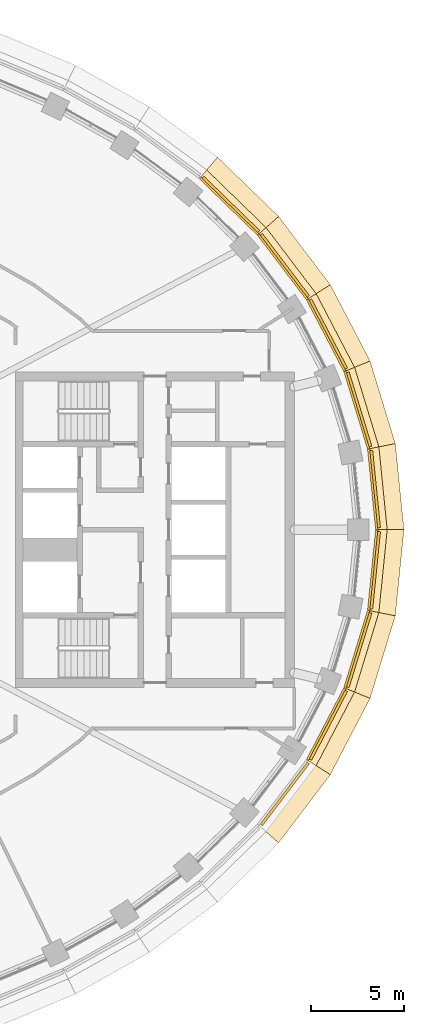
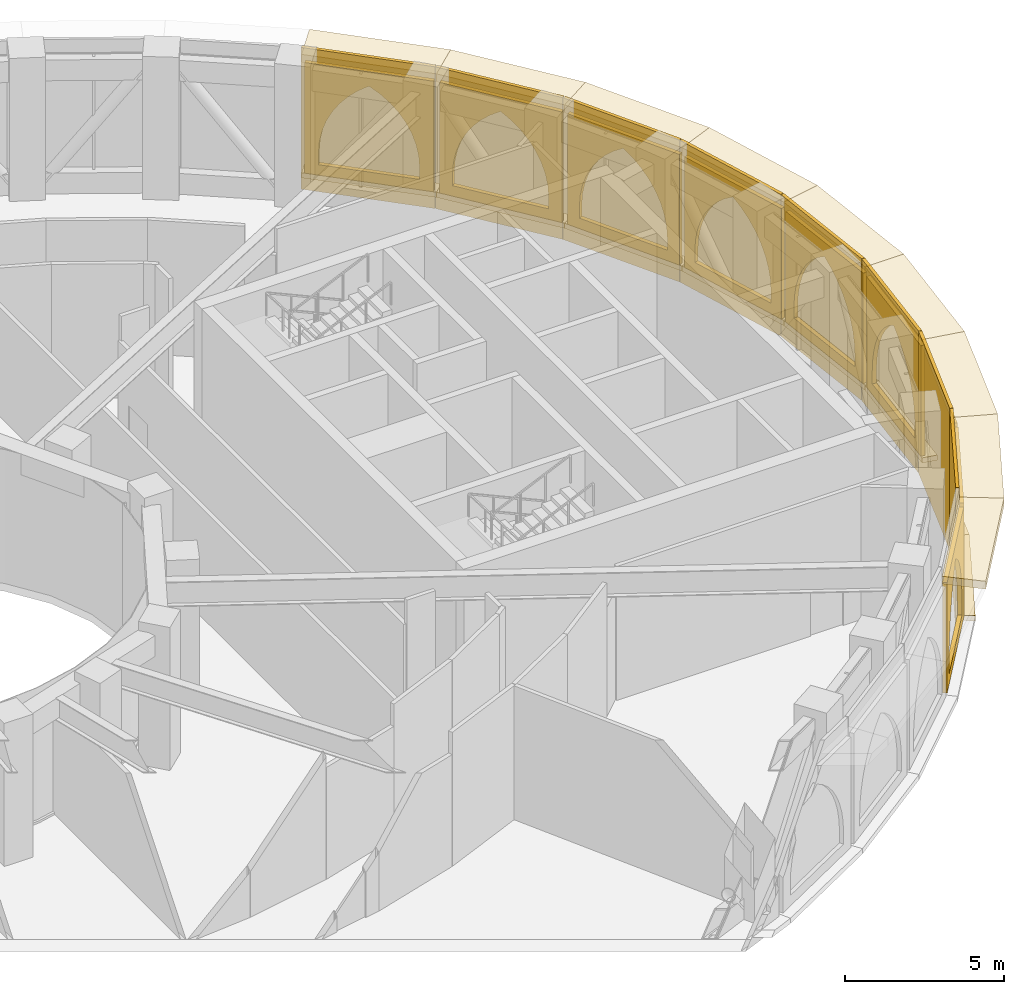
# One storey, part 25 of 25: 34 coverings.
"""IFC4 building model written with IfcOpenShell, lengths in metres."""

import ifcopenshell
import ifcopenshell.guid

model = None  # the IFC model being written
_history = None  # IfcOwnerHistory: only IFC2X3 demands one
_inside = {}  # id of a spatial element -> (the spatial element, [elements in it])
_under = {}  # id of a project, library or spatial element -> (it, [spatial elements below it])
_declared = {}  # id of a project -> (the project, [libraries it declares])
_typed = {}  # id of a type object -> (the type object, [elements of that type])
_made_of = {}  # id of a material, layer set ... -> (it, [elements and type objects made of it])


def new_model(schema):
    """Start an empty IFC model of exactly this schema.

    Asked for "IFC4X3", IfcOpenShell would pick the latest addendum, in which some entities
    have other attributes; the version numbers below select the first issue.
    IFC2X3 requires an IfcOwnerHistory on every rooted entity: one is made here for all.
    """
    global model, _history
    if schema == "IFC4X3":
        model = ifcopenshell.file(schema_version=(4, 3, 0, 0))
    else:
        model = ifcopenshell.file(schema=schema)
    _inside.clear()
    _under.clear()
    _declared.clear()
    _typed.clear()
    _made_of.clear()
    _history = None
    if model.schema == "IFC2X3":
        org = make("IfcOrganization", Name="unknown")
        user = make(
            "IfcPersonAndOrganization",
            ThePerson=make("IfcPerson", FamilyName="unknown"),
            TheOrganization=org,
        )
        app = make(
            "IfcApplication",
            ApplicationDeveloper=org,
            Version="unknown",
            ApplicationFullName="unknown",
            ApplicationIdentifier="unknown",
        )
        _history = make(
            "IfcOwnerHistory",
            OwningUser=user,
            OwningApplication=app,
            ChangeAction="ADDED",
            CreationDate=0,
        )
    return model


def make(cls, **values):
    """One entity of the class cls with the attributes given. An attribute that is None is left unset."""
    return model.create_entity(
        cls, **{name: value for name, value in values.items() if value is not None}
    )


def rooted(cls, **values):
    """An entity with a GlobalId (a new one), such as an element, a storey or a relation."""
    return make(cls, GlobalId=ifcopenshell.guid.new(), OwnerHistory=_history, **values)


def si_unit(unit_type, name, prefix=None):
    """IfcSIUnit, for example si_unit("LENGTHUNIT", "METRE", prefix="MILLI")."""
    return make("IfcSIUnit", UnitType=unit_type, Prefix=prefix, Name=name)


def assignment(units):
    """IfcUnitAssignment: the units of a project."""
    return None if units is None else make("IfcUnitAssignment", Units=units)


def point(xyz):
    """IfcCartesianPoint."""
    return None if xyz is None else make("IfcCartesianPoint", Coordinates=xyz)


def direction(xyz):
    """IfcDirection."""
    return None if xyz is None else make("IfcDirection", DirectionRatios=xyz)


def frame(location, z_axis=None, x_axis=None):
    """IfcAxis2Placement3D, a coordinate frame: its origin and axes. An axis left out is left unset."""
    return make(
        "IfcAxis2Placement3D",
        Location=point(location),
        Axis=direction(z_axis),
        RefDirection=direction(x_axis),
    )


def frame_2d(location, x_axis=None):
    """IfcAxis2Placement2D, a coordinate frame in the plane: its origin and x axis."""
    return make(
        "IfcAxis2Placement2D", Location=point(location), RefDirection=direction(x_axis)
    )


def origin():
    """The frame at (0, 0, 0) with its axes left unset."""
    return frame((0.0, 0.0, 0.0))


def origin_2d():
    """The frame at (0, 0) in the plane with its x axis left unset."""
    return frame_2d((0.0, 0.0))


def place(relative_to, where):
    """IfcLocalPlacement: puts the frame where relative to a parent placement (None: the world)."""
    return make(
        "IfcLocalPlacement", PlacementRelTo=relative_to, RelativePlacement=where
    )


def context(
    kind, dimensions, precision=None, world=None, true_north=None, identifier=None
):
    """IfcGeometricRepresentationContext, for example the 3D "Model" context."""
    return make(
        "IfcGeometricRepresentationContext",
        ContextIdentifier=identifier,
        ContextType=kind,
        CoordinateSpaceDimension=dimensions,
        Precision=precision,
        WorldCoordinateSystem=world,
        TrueNorth=true_north,
    )


def subcontext(parent, identifier, kind, view, scale=None):
    """IfcGeometricRepresentationSubContext, for example "Body" below "Model"."""
    return make(
        "IfcGeometricRepresentationSubContext",
        ContextIdentifier=identifier,
        ContextType=kind,
        ParentContext=parent,
        TargetScale=scale,
        TargetView=view,
    )


def project(units=None, contexts=None):
    """IfcProject with its units and contexts."""
    return rooted(
        "IfcProject",
        Name="project",
        RepresentationContexts=contexts,
        UnitsInContext=assignment(units),
    )


def spatial(cls, under=None, at=None, **own):
    """A site, building, storey or space (cls), placed at a placement, below another one or the project."""
    s = rooted(cls, ObjectPlacement=at, **own)
    if under is not None:
        _under.setdefault(under.id(), (under, []))[1].append(s)
    return s


def polyline(points):
    """IfcPolyline through the points."""
    return make("IfcPolyline", Points=[point(p) for p in points])


def profile(cls, at=None, kind="AREA", **sizes):
    """A parametric profile (cls). Its sizes go by their IFC names, for example OverallWidth=200.0."""
    return make(cls, ProfileType=kind, Position=at, **sizes)


def rectangle(**sizes):
    """IfcRectangleProfileDef."""
    return profile("IfcRectangleProfileDef", **sizes)


def outline(outer, holes=None, kind="AREA"):
    """IfcArbitraryClosedProfileDef: a profile drawn as a closed curve; with holes, ...WithVoids."""
    if holes is None:
        return make("IfcArbitraryClosedProfileDef", ProfileType=kind, OuterCurve=outer)
    return make(
        "IfcArbitraryProfileDefWithVoids",
        ProfileType=kind,
        OuterCurve=outer,
        InnerCurves=holes,
    )


def extrude(swept, where, along, depth):
    """IfcExtrudedAreaSolid: the profile swept, set in the frame where, extruded along a direction by depth."""
    return make(
        "IfcExtrudedAreaSolid",
        SweptArea=swept,
        Position=where,
        ExtrudedDirection=direction(along),
        Depth=depth,
    )


def shape(context_of_items, identifier, shape_type, items):
    """IfcShapeRepresentation: the items that make up one representation, for example the "Body"."""
    return make(
        "IfcShapeRepresentation",
        ContextOfItems=context_of_items,
        RepresentationIdentifier=identifier,
        RepresentationType=shape_type,
        Items=items,
    )


def material(Name=None, Category=None):
    """IfcMaterial."""
    return make("IfcMaterial", Name=Name, Category=Category)


def layer(
    of_material, thickness, ventilated=None, Name=None, Category=None, Priority=None
):
    """IfcMaterialLayer: one layer of a wall or slab, of a material (None: an air gap)."""
    return make(
        "IfcMaterialLayer",
        Material=of_material,
        LayerThickness=thickness,
        IsVentilated=ventilated,
        Name=Name,
        Category=Category,
        Priority=Priority,
    )


def layer_set(layers, Name=None):
    """IfcMaterialLayerSet."""
    return make("IfcMaterialLayerSet", MaterialLayers=layers, LayerSetName=Name)


def made_of(thing, what):
    """Note that an element or type object is made of a material, layer set ...; save() writes the relation."""
    if what is not None:
        _made_of.setdefault(what.id(), (what, []))[1].append(thing)
    return thing


def type_object(cls, material=None, **own):
    """A type object (cls), such as IfcWallType, which elements share."""
    return made_of(rooted(cls, **own), material)


def element(
    cls,
    number,
    at=None,
    inside=None,
    cuts=None,
    type_object=None,
    material=None,
    context=None,
    identifier="Body",
    shape_type=None,
    held_by="IfcProductDefinitionShape",
    body=None,
    shapes=None,
    **own,
):
    """One element of the class cls, such as IfcWall. Its Tag is "e" and its number.

    at: its placement. inside: the storey or other place that contains it. cuts: it is an
    opening in that element (IfcRelVoidsElement). A single representation is given by context,
    identifier, shape_type and body (its items); several are given by shapes. held_by: the class
    of the entity that holds the representations. save() writes the other relations.
    """
    e = rooted(cls, Tag="e%d" % number, ObjectPlacement=at, **own)
    if body is not None:
        shapes = [shape(context, identifier, shape_type, body)]
    if shapes is not None:
        e.Representation = make(held_by, Representations=shapes)
    if inside is not None:
        _inside.setdefault(inside.id(), (inside, []))[1].append(e)
    if cuts is not None:
        rooted(
            "IfcRelVoidsElement", RelatingBuildingElement=cuts, RelatedOpeningElement=e
        )
    if type_object is not None:
        _typed.setdefault(type_object.id(), (type_object, []))[1].append(e)
    return made_of(e, material)


def aggregate(whole, parts):
    """IfcRelAggregates: a whole, such as a stair, and the parts it consists of."""
    return rooted("IfcRelAggregates", RelatingObject=whole, RelatedObjects=parts)


def save(model, path):
    """Write the relations noted so far, then the file.

    IfcRelAggregates (storeys below a building ...), IfcRelContainedInSpatialStructure (elements
    in a storey), IfcRelDefinesByType, IfcRelAssociatesMaterial and IfcRelDeclares: one each for
    every whole, place, type object, material and project.
    """
    for whole, parts in _under.values():
        aggregate(whole, parts)
    for where, things in _inside.values():
        rooted(
            "IfcRelContainedInSpatialStructure",
            RelatedElements=things,
            RelatingStructure=where,
        )
    for kind, things in _typed.values():
        rooted("IfcRelDefinesByType", RelatedObjects=things, RelatingType=kind)
    for what, things in _made_of.values():
        rooted("IfcRelAssociatesMaterial", RelatedObjects=things, RelatingMaterial=what)
    for by, libraries in _declared.values():
        rooted("IfcRelDeclares", RelatingContext=by, RelatedDefinitions=libraries)
    model.write(path)


model = new_model("IFC4")

# Units and contexts
model_context = context("Model", 3, precision=1e-05, world=origin(), true_north=direction((0.0, 1.0)))
body_context = subcontext(model_context, "Body", "Model", "MODEL_VIEW")
ifc_project = project(units=[si_unit("LENGTHUNIT", "METRE"), si_unit("AREAUNIT", "SQUARE_METRE"), si_unit("VOLUMEUNIT", "CUBIC_METRE"), si_unit("PLANEANGLEUNIT", "RADIAN"), si_unit("MASSUNIT", "GRAM", prefix="KILO")], contexts=[model_context])

# Site, building, storey
site_placement = place(None, origin())
site = spatial("IfcSite", under=ifc_project, at=site_placement, CompositionType="ELEMENT")
building_placement = place(site_placement, origin())
building = spatial("IfcBuilding", under=site, at=building_placement, Name="Noorbagh Ring Tower", CompositionType="ELEMENT")
storey_placement = place(building_placement, frame((0.0, 0.0, 198.0)))
storey = spatial("IfcBuildingStorey", under=building, at=storey_placement, Name="L46", CompositionType="ELEMENT", Elevation=198.0)

# Coverings
ifc_material_1 = material(Name="Aluminium 6063-T6 black anodised", Category="aluminium")
ifc_layer_1 = layer(ifc_material_1, 0.1201171875)
ifc_layer_set_1 = layer_set([ifc_layer_1], Name="Aluminium 6063-T6 black anodised")
covering_type_1 = type_object("IfcCoveringType", Name="ENV-LOUVRE-BAND", PredefinedType="CLADDING", material=ifc_layer_set_1)
covering_1_placement = place(storey_placement, frame((35.720947265625, 2.17333984375, -0.2998046875), z_axis=(0.0, 0.0, 1.0), x_axis=(-0.100178263068, 0.994969504864, 0.0)))
element("IfcCovering", 1, at=covering_1_placement, inside=storey, type_object=covering_type_1, Name="Louvre screen chord 01", ObjectType="LOUVRE", PredefinedType="CLADDING", context=body_context, shape_type="SweptSolid", body=[
    extrude(rectangle(XDim=4.34423828125, YDim=0.1201171875, at=origin_2d()), origin(), (0.0, 0.0, 1.0), 5.449951171875),
])
covering_2_placement = place(storey_placement, frame((34.86376953125, 6.436279296875, -0.2998046875), z_axis=(0.0, 0.0, 1.0), x_axis=(-0.292170066961, 0.95636637957, 0.0)))
element("IfcCovering", 2, at=covering_2_placement, inside=storey, type_object=covering_type_1, Name="Louvre screen chord 02", ObjectType="LOUVRE", PredefinedType="CLADDING", context=body_context, shape_type="SweptSolid", body=[
    extrude(rectangle(XDim=4.344970703125, YDim=0.1201171875, at=origin_2d()), origin(), (0.0, 0.0, 1.0), 5.449951171875),
])
covering_3_placement = place(storey_placement, frame((33.21484375, 10.464111328125, -0.2998046875), z_axis=(0.0, 0.0, 1.0), x_axis=(-0.462278064231, 0.88673501754, 0.0)))
element("IfcCovering", 3, at=covering_3_placement, inside=storey, type_object=covering_type_1, Name="Louvre screen chord 03", ObjectType="LOUVRE", PredefinedType="CLADDING", context=body_context, shape_type="SweptSolid", body=[
    extrude(rectangle(XDim=4.345947265625, YDim=0.1201171875, at=origin_2d()), origin(), (0.0, 0.0, 1.0), 5.449951171875),
])
covering_4_placement = place(storey_placement, frame((30.883544921875, 14.145263671875, -0.2998046875), z_axis=(0.0, 0.0, 1.0), x_axis=(-0.604020184358, 0.796969018776, 0.0)))
element("IfcCovering", 4, at=covering_4_placement, inside=storey, type_object=covering_type_1, Name="Louvre screen chord 04", ObjectType="LOUVRE", PredefinedType="CLADDING", context=body_context, shape_type="SweptSolid", body=[
    extrude(rectangle(XDim=4.346923828125, YDim=0.1201171875, at=origin_2d()), origin(), (0.0, 0.0, 1.0), 5.449951171875),
])
covering_5_placement = place(storey_placement, frame((27.993408203125, 17.41259765625, -0.2998046875), z_axis=(0.0, 0.0, 1.0), x_axis=(-0.717224548362, 0.696842125038, 0.0)))
element("IfcCovering", 5, at=covering_5_placement, inside=storey, type_object=covering_type_1, Name="Louvre screen chord 05", ObjectType="LOUVRE", PredefinedType="CLADDING", context=body_context, shape_type="SweptSolid", body=[
    extrude(rectangle(XDim=4.347900390625, YDim=0.1201171875, at=origin_2d()), origin(), (0.0, 0.0, 1.0), 5.449951171875),
])
covering_6_placement = place(storey_placement, frame((33.21484375, -10.464111328125, -0.2998046875), z_axis=(0.0, 0.0, 1.0), x_axis=(0.462278064231, 0.88673501754, 0.0)))
element("IfcCovering", 6, at=covering_6_placement, inside=storey, type_object=covering_type_1, Name="Louvre screen chord 44", ObjectType="LOUVRE", PredefinedType="CLADDING", context=body_context, shape_type="SweptSolid", body=[
    extrude(rectangle(XDim=4.345947265625, YDim=0.1201171875, at=origin_2d()), origin(), (0.0, 0.0, 1.0), 5.449951171875),
])
covering_7_placement = place(storey_placement, frame((34.86376953125, -6.436279296875, -0.2998046875), z_axis=(0.0, 0.0, 1.0), x_axis=(0.292170066961, 0.95636637957, 0.0)))
element("IfcCovering", 7, at=covering_7_placement, inside=storey, type_object=covering_type_1, Name="Louvre screen chord 45", ObjectType="LOUVRE", PredefinedType="CLADDING", context=body_context, shape_type="SweptSolid", body=[
    extrude(rectangle(XDim=4.344970703125, YDim=0.1201171875, at=origin_2d()), origin(), (0.0, 0.0, 1.0), 5.449951171875),
])
covering_8_placement = place(storey_placement, frame((35.720947265625, -2.17333984375, -0.2998046875), z_axis=(0.0, 0.0, 1.0), x_axis=(0.100178263068, 0.994969504864, 0.0)))
element("IfcCovering", 8, at=covering_8_placement, inside=storey, type_object=covering_type_1, Name="Louvre screen chord 46", ObjectType="LOUVRE", PredefinedType="CLADDING", context=body_context, shape_type="SweptSolid", body=[
    extrude(rectangle(XDim=4.34423828125, YDim=0.1201171875, at=origin_2d()), origin(), (0.0, 0.0, 1.0), 5.449951171875),
])
ifc_material_2 = material(Name="Red sandstone cladding", Category="masonry")
ifc_layer_2 = layer(ifc_material_2, 0.14990234375)
ifc_layer_set_2 = layer_set([ifc_layer_2], Name="Red sandstone cladding")
covering_type_2 = type_object("IfcCoveringType", Name="STYLE-BAND-ARCADE", PredefinedType="USERDEFINED", material=ifc_layer_set_2)
covering_9_placement = place(storey_placement, frame((36.13916015625, 0.114501953125, 0.25), z_axis=(0.99497222215, 0.100151271334, 0.0), x_axis=(-0.100151271334, 0.99497222215, 0.0)))
element("IfcCovering", 9, at=covering_9_placement, inside=storey, type_object=covering_type_2, Name="Blind arch bay of the band", ObjectType="ARCH", PredefinedType="USERDEFINED", context=body_context, shape_type="SweptSolid", body=[
    extrude(outline(polyline([(0.0, 0.0), (4.1806640625, 0.0), (4.1806640625, 4.25), (0.0, 4.25), (0.0, 0.0)]), holes=[polyline([(0.449951171875, 0.39990234375), (0.449951171875, 0.85888671875), (0.47802734375, 1.287109375), (0.561767578125, 1.7080078125), (0.69970703125, 2.114501953125), (0.889404296875, 2.499267578125), (1.1279296875, 2.856201171875), (1.410888671875, 3.1787109375), (1.7333984375, 3.461669921875), (2.09033203125, 3.7001953125), (2.447265625, 3.461669921875), (2.769775390625, 3.1787109375), (3.052734375, 2.856201171875), (3.291259765625, 2.499267578125), (3.48095703125, 2.114501953125), (3.618896484375, 1.7080078125), (3.70263671875, 1.287109375), (3.730712890625, 0.85888671875), (3.730712890625, 0.39990234375), (0.449951171875, 0.39990234375)])]), origin(), (0.0, 0.0, -1.0), 0.14990234375),
])
covering_10_placement = place(storey_placement, frame((35.67529296875, 4.498046875, 0.25), z_axis=(0.956367886414, 0.292165134531, 0.0), x_axis=(-0.292165134531, 0.956367886414, 0.0)))
element("IfcCovering", 10, at=covering_10_placement, inside=storey, type_object=covering_type_2, Name="Blind arch bay of the band", ObjectType="ARCH", PredefinedType="USERDEFINED", context=body_context, shape_type="SweptSolid", body=[
    extrude(outline(polyline([(0.0, 0.0), (4.181396484375, 0.0), (4.181396484375, 4.25), (0.0, 4.25), (0.0, 0.0)]), holes=[polyline([(0.449951171875, 0.39990234375), (0.449951171875, 0.8583984375), (0.47802734375, 1.28662109375), (0.561767578125, 1.70751953125), (0.69970703125, 2.114013671875), (0.8896484375, 2.4990234375), (1.128173828125, 2.85595703125), (1.4111328125, 3.1787109375), (1.73388671875, 3.461669921875), (2.0908203125, 3.7001953125), (2.447509765625, 3.461669921875), (2.770263671875, 3.1787109375), (3.05322265625, 2.85595703125), (3.291748046875, 2.4990234375), (3.4814453125, 2.114013671875), (3.619384765625, 1.70751953125), (3.703125, 1.28662109375), (3.731201171875, 0.8583984375), (3.731201171875, 0.39990234375), (0.449951171875, 0.39990234375)])]), origin(), (0.0, 0.0, -1.0), 0.14990234375),
])
covering_11_placement = place(storey_placement, frame((34.367919921875, 8.706787109375, 0.25), z_axis=(0.886709716342, 0.462326593379, 0.0), x_axis=(-0.462326593379, 0.886709716342, 0.0)))
element("IfcCovering", 11, at=covering_11_placement, inside=storey, type_object=covering_type_2, Name="Blind arch bay of the band", ObjectType="ARCH", PredefinedType="USERDEFINED", context=body_context, shape_type="SweptSolid", body=[
    extrude(outline(polyline([(0.0, 0.0), (4.182373046875, 0.0), (4.182373046875, 4.25), (0.0, 4.25), (0.0, 0.0)]), holes=[polyline([(0.449951171875, 0.39990234375), (0.449951171875, 0.857421875), (0.47802734375, 1.285888671875), (0.561767578125, 1.70703125), (0.699951171875, 2.113525390625), (0.8896484375, 2.498779296875), (1.12841796875, 2.855712890625), (1.411376953125, 3.178466796875), (1.734130859375, 3.461669921875), (2.09130859375, 3.7001953125), (2.447998046875, 3.461669921875), (2.77099609375, 3.178466796875), (3.053955078125, 2.855712890625), (3.29248046875, 2.498779296875), (3.482421875, 2.113525390625), (3.62060546875, 1.70703125), (3.7041015625, 1.285888671875), (3.732421875, 0.857421875), (3.732421875, 0.39990234375), (0.449951171875, 0.39990234375)])]), origin(), (0.0, 0.0, -1.0), 0.14990234375),
])
covering_12_placement = place(storey_placement, frame((32.314453125, 12.60498046875, 0.25), z_axis=(0.796985737541, 0.603998124299, 0.0), x_axis=(-0.603998124299, 0.796985737541, 0.0)))
element("IfcCovering", 12, at=covering_12_placement, inside=storey, type_object=covering_type_2, Name="Blind arch bay of the band", ObjectType="ARCH", PredefinedType="USERDEFINED", context=body_context, shape_type="SweptSolid", body=[
    extrude(outline(polyline([(0.0, 0.0), (4.18359375, 0.0), (4.18359375, 4.25), (0.0, 4.25), (0.0, 0.0)]), holes=[polyline([(0.449951171875, 0.39990234375), (0.449951171875, 0.856689453125), (0.47802734375, 1.28515625), (0.56201171875, 1.706298828125), (0.699951171875, 2.113037109375), (0.889892578125, 2.498291015625), (1.12841796875, 2.85546875), (1.41162109375, 3.17822265625), (1.734619140625, 3.46142578125), (2.091796875, 3.7001953125), (2.44873046875, 3.46142578125), (2.771728515625, 3.17822265625), (3.054931640625, 2.85546875), (3.29345703125, 2.498291015625), (3.4833984375, 2.113037109375), (3.62158203125, 1.706298828125), (3.705322265625, 1.28515625), (3.7333984375, 0.856689453125), (3.7333984375, 0.39990234375), (0.449951171875, 0.39990234375)])]), origin(), (0.0, 0.0, -1.0), 0.14990234375),
])
covering_13_placement = place(storey_placement, frame((29.640380859375, 16.10546875, 0.25), z_axis=(0.696851724238, 0.717215221831, 0.0), x_axis=(-0.717215221831, 0.696851724238, 0.0)))
element("IfcCovering", 13, at=covering_13_placement, inside=storey, type_object=covering_type_2, Name="Blind arch bay of the band", ObjectType="ARCH", PredefinedType="USERDEFINED", context=body_context, shape_type="SweptSolid", body=[
    extrude(outline(polyline([(0.0, 0.0), (4.184326171875, 0.0), (4.184326171875, 4.25), (0.0, 4.25), (0.0, 0.0)]), holes=[polyline([(0.449951171875, 0.39990234375), (0.449951171875, 0.855712890625), (0.47802734375, 1.284423828125), (0.56201171875, 1.705810546875), (0.699951171875, 2.11279296875), (0.889892578125, 2.498046875), (1.128662109375, 2.855224609375), (1.411865234375, 3.17822265625), (1.73486328125, 3.46142578125), (2.092041015625, 3.7001953125), (2.44921875, 3.46142578125), (2.772216796875, 3.17822265625), (3.0556640625, 2.855224609375), (3.294189453125, 2.498046875), (3.484130859375, 2.11279296875), (3.622314453125, 1.705810546875), (3.706298828125, 1.284423828125), (3.734130859375, 0.855712890625), (3.734130859375, 0.39990234375), (0.449951171875, 0.39990234375)])]), origin(), (0.0, 0.0, -1.0), 0.14990234375),
])
covering_14_placement = place(storey_placement, frame((29.78759765625, -15.939208984375, 0.25), z_axis=(0.796985737541, -0.603998124299, 0.0), x_axis=(0.603998124299, 0.796985737541, 0.0)))
element("IfcCovering", 14, at=covering_14_placement, inside=storey, type_object=covering_type_2, Name="Blind arch bay of the band", ObjectType="ARCH", PredefinedType="USERDEFINED", context=body_context, shape_type="SweptSolid", body=[
    extrude(outline(polyline([(0.0, 0.0), (4.18359375, 0.0), (4.18359375, 4.25), (0.0, 4.25), (0.0, 0.0)]), holes=[polyline([(0.449951171875, 0.39990234375), (0.449951171875, 0.856689453125), (0.47802734375, 1.28515625), (0.56201171875, 1.706298828125), (0.699951171875, 2.113037109375), (0.889892578125, 2.498291015625), (1.12841796875, 2.85546875), (1.41162109375, 3.17822265625), (1.734619140625, 3.46142578125), (2.091796875, 3.7001953125), (2.44873046875, 3.46142578125), (2.771728515625, 3.17822265625), (3.054931640625, 2.85546875), (3.29345703125, 2.498291015625), (3.4833984375, 2.113037109375), (3.62158203125, 1.706298828125), (3.705322265625, 1.28515625), (3.7333984375, 0.856689453125), (3.7333984375, 0.39990234375), (0.449951171875, 0.39990234375)])]), origin(), (0.0, 0.0, -1.0), 0.14990234375),
])
covering_15_placement = place(storey_placement, frame((32.434326171875, -12.415283203125, 0.25), z_axis=(0.886709716342, -0.462326593379, 0.0), x_axis=(0.462326593379, 0.886709716342, 0.0)))
element("IfcCovering", 15, at=covering_15_placement, inside=storey, type_object=covering_type_2, Name="Blind arch bay of the band", ObjectType="ARCH", PredefinedType="USERDEFINED", context=body_context, shape_type="SweptSolid", body=[
    extrude(outline(polyline([(0.0, 0.0), (4.182373046875, 0.0), (4.182373046875, 4.25), (0.0, 4.25), (0.0, 0.0)]), holes=[polyline([(0.449951171875, 0.39990234375), (0.449951171875, 0.857421875), (0.47802734375, 1.285888671875), (0.561767578125, 1.70703125), (0.699951171875, 2.113525390625), (0.8896484375, 2.498779296875), (1.12841796875, 2.855712890625), (1.411376953125, 3.178466796875), (1.734130859375, 3.461669921875), (2.09130859375, 3.7001953125), (2.447998046875, 3.461669921875), (2.77099609375, 3.178466796875), (3.053955078125, 2.855712890625), (3.29248046875, 2.498779296875), (3.482421875, 2.113525390625), (3.62060546875, 1.70703125), (3.7041015625, 1.285888671875), (3.732421875, 0.857421875), (3.732421875, 0.39990234375), (0.449951171875, 0.39990234375)])]), origin(), (0.0, 0.0, -1.0), 0.14990234375),
])
covering_16_placement = place(storey_placement, frame((34.45361328125, -8.4970703125, 0.25), z_axis=(0.956367886414, -0.292165134531, 0.0), x_axis=(0.292165134531, 0.956367886414, 0.0)))
element("IfcCovering", 16, at=covering_16_placement, inside=storey, type_object=covering_type_2, Name="Blind arch bay of the band", ObjectType="ARCH", PredefinedType="USERDEFINED", context=body_context, shape_type="SweptSolid", body=[
    extrude(outline(polyline([(0.0, 0.0), (4.181396484375, 0.0), (4.181396484375, 4.25), (0.0, 4.25), (0.0, 0.0)]), holes=[polyline([(0.449951171875, 0.39990234375), (0.449951171875, 0.8583984375), (0.47802734375, 1.28662109375), (0.561767578125, 1.70751953125), (0.69970703125, 2.114013671875), (0.8896484375, 2.4990234375), (1.128173828125, 2.85595703125), (1.4111328125, 3.1787109375), (1.73388671875, 3.461669921875), (2.0908203125, 3.7001953125), (2.447509765625, 3.461669921875), (2.770263671875, 3.1787109375), (3.05322265625, 2.85595703125), (3.291748046875, 2.4990234375), (3.4814453125, 2.114013671875), (3.619384765625, 1.70751953125), (3.703125, 1.28662109375), (3.731201171875, 0.8583984375), (3.731201171875, 0.39990234375), (0.449951171875, 0.39990234375)])]), origin(), (0.0, 0.0, -1.0), 0.14990234375),
])
covering_17_placement = place(storey_placement, frame((35.720458984375, -4.274169921875, 0.25), z_axis=(0.99497222215, -0.100151271334, 0.0), x_axis=(0.100151271334, 0.99497222215, 0.0)))
element("IfcCovering", 17, at=covering_17_placement, inside=storey, type_object=covering_type_2, Name="Blind arch bay of the band", ObjectType="ARCH", PredefinedType="USERDEFINED", context=body_context, shape_type="SweptSolid", body=[
    extrude(outline(polyline([(0.0, 0.0), (4.1806640625, 0.0), (4.1806640625, 4.25), (0.0, 4.25), (0.0, 0.0)]), holes=[polyline([(0.449951171875, 0.39990234375), (0.449951171875, 0.85888671875), (0.47802734375, 1.287109375), (0.561767578125, 1.7080078125), (0.69970703125, 2.114501953125), (0.889404296875, 2.499267578125), (1.1279296875, 2.856201171875), (1.410888671875, 3.1787109375), (1.7333984375, 3.461669921875), (2.09033203125, 3.7001953125), (2.447265625, 3.461669921875), (2.769775390625, 3.1787109375), (3.052734375, 2.856201171875), (3.291259765625, 2.499267578125), (3.48095703125, 2.114501953125), (3.618896484375, 1.7080078125), (3.70263671875, 1.287109375), (3.730712890625, 0.85888671875), (3.730712890625, 0.39990234375), (0.449951171875, 0.39990234375)])]), origin(), (0.0, 0.0, -1.0), 0.14990234375),
])
ifc_material_3 = material(Name="Red sandstone eave", Category="masonry")
covering_type_3 = type_object("IfcCoveringType", Name="STYLE-BAND-EAVE", PredefinedType="USERDEFINED", material=ifc_material_3)
covering_18_placement = place(storey_placement, frame((0.0, 0.0, 4.5)))
element("IfcCovering", 18, at=covering_18_placement, inside=storey, type_object=covering_type_3, Name="Chhajja eave", ObjectType="CHHAJJA", PredefinedType="USERDEFINED", context=body_context, shape_type="SweptSolid", body=[
    extrude(outline(polyline([(36.0, 0.0), (35.561279296875, 4.358642578125), (36.940185546875, 4.635986328125), (37.406982421875, 0.0), (36.0, 0.0)])), origin(), (0.0, 0.0, 1.0), 0.300048828125),
])
covering_19_placement = place(storey_placement, frame((0.0, 0.0, 4.5)))
element("IfcCovering", 19, at=covering_19_placement, inside=storey, type_object=covering_type_3, Name="Chhajja eave", ObjectType="CHHAJJA", PredefinedType="USERDEFINED", context=body_context, shape_type="SweptSolid", body=[
    extrude(outline(polyline([(35.561279296875, 4.358642578125), (34.281005859375, 8.548828125), (35.582275390625, 9.081298828125), (36.940185546875, 4.635986328125), (35.561279296875, 4.358642578125)])), origin(), (0.0, 0.0, 1.0), 0.300048828125),
])
covering_20_placement = place(storey_placement, frame((0.0, 0.0, 4.5)))
element("IfcCovering", 20, at=covering_20_placement, inside=storey, type_object=covering_type_3, Name="Chhajja eave", ObjectType="CHHAJJA", PredefinedType="USERDEFINED", context=body_context, shape_type="SweptSolid", body=[
    extrude(outline(polyline([(34.281005859375, 8.548828125), (32.255126953125, 12.434814453125), (33.442138671875, 13.186279296875), (35.582275390625, 9.081298828125), (34.281005859375, 8.548828125)])), origin(), (0.0, 0.0, 1.0), 0.300048828125),
])
covering_21_placement = place(storey_placement, frame((0.0, 0.0, 4.5)))
element("IfcCovering", 21, at=covering_21_placement, inside=storey, type_object=covering_type_3, Name="Chhajja eave", ObjectType="CHHAJJA", PredefinedType="USERDEFINED", context=body_context, shape_type="SweptSolid", body=[
    extrude(outline(polyline([(32.255126953125, 12.434814453125), (29.607666015625, 15.927978515625), (30.6591796875, 16.8583984375), (33.442138671875, 13.186279296875), (32.255126953125, 12.434814453125)])), origin(), (0.0, 0.0, 1.0), 0.300048828125),
])
covering_22_placement = place(storey_placement, frame((0.0, 0.0, 4.5)))
element("IfcCovering", 22, at=covering_22_placement, inside=storey, type_object=covering_type_3, Name="Chhajja eave", ObjectType="CHHAJJA", PredefinedType="USERDEFINED", context=body_context, shape_type="SweptSolid", body=[
    extrude(outline(polyline([(29.607666015625, 15.927978515625), (26.463134765625, 18.9833984375), (27.3701171875, 20.053955078125), (30.6591796875, 16.8583984375), (29.607666015625, 15.927978515625)])), origin(), (0.0, 0.0, 1.0), 0.300048828125),
])
covering_23_placement = place(storey_placement, frame((0.0, 0.0, 4.5)))
element("IfcCovering", 23, at=covering_23_placement, inside=storey, type_object=covering_type_3, Name="Chhajja eave", ObjectType="CHHAJJA", PredefinedType="USERDEFINED", context=body_context, shape_type="SweptSolid", body=[
    extrude(outline(polyline([(29.607666015625, -15.927978515625), (32.255126953125, -12.434814453125), (33.442138671875, -13.186279296875), (30.6591796875, -16.8583984375), (29.607666015625, -15.927978515625)])), origin(), (0.0, 0.0, 1.0), 0.300048828125),
])
covering_24_placement = place(storey_placement, frame((0.0, 0.0, 4.5)))
element("IfcCovering", 24, at=covering_24_placement, inside=storey, type_object=covering_type_3, Name="Chhajja eave", ObjectType="CHHAJJA", PredefinedType="USERDEFINED", context=body_context, shape_type="SweptSolid", body=[
    extrude(outline(polyline([(32.255126953125, -12.434814453125), (34.281005859375, -8.548828125), (35.582275390625, -9.081298828125), (33.442138671875, -13.186279296875), (32.255126953125, -12.434814453125)])), origin(), (0.0, 0.0, 1.0), 0.300048828125),
])
covering_25_placement = place(storey_placement, frame((0.0, 0.0, 4.5)))
element("IfcCovering", 25, at=covering_25_placement, inside=storey, type_object=covering_type_3, Name="Chhajja eave", ObjectType="CHHAJJA", PredefinedType="USERDEFINED", context=body_context, shape_type="SweptSolid", body=[
    extrude(outline(polyline([(34.281005859375, -8.548828125), (35.561279296875, -4.358642578125), (36.940185546875, -4.635986328125), (35.582275390625, -9.081298828125), (34.281005859375, -8.548828125)])), origin(), (0.0, 0.0, 1.0), 0.300048828125),
])
covering_26_placement = place(storey_placement, frame((0.0, 0.0, 4.5)))
element("IfcCovering", 26, at=covering_26_placement, inside=storey, type_object=covering_type_3, Name="Chhajja eave", ObjectType="CHHAJJA", PredefinedType="USERDEFINED", context=body_context, shape_type="SweptSolid", body=[
    extrude(outline(polyline([(35.561279296875, -4.358642578125), (36.0, 0.0), (37.406982421875, 0.0), (36.940185546875, -4.635986328125), (35.561279296875, -4.358642578125)])), origin(), (0.0, 0.0, 1.0), 0.300048828125),
])
ifc_material_4 = material(Name="Red sandstone eave", Category="masonry")
covering_type_4 = type_object("IfcCoveringType", Name="STYLE-BAND-SILL", PredefinedType="USERDEFINED", material=ifc_material_4)
covering_27_placement = place(storey_placement, frame((0.0, 0.0, 0.050048828125)))
element("IfcCovering", 27, at=covering_27_placement, inside=storey, type_object=covering_type_4, Name="Sill ledge", ObjectType="CHHAJJA", PredefinedType="USERDEFINED", context=body_context, shape_type="SweptSolid", body=[
    extrude(outline(polyline([(36.0, 0.0), (35.561279296875, 4.358642578125), (36.0537109375, 4.457763671875), (36.50244140625, 0.0), (36.0, 0.0)])), origin(), (0.0, 0.0, 1.0), 0.199951171875),
])
covering_28_placement = place(storey_placement, frame((0.0, 0.0, 0.050048828125)))
element("IfcCovering", 28, at=covering_28_placement, inside=storey, type_object=covering_type_4, Name="Sill ledge", ObjectType="CHHAJJA", PredefinedType="USERDEFINED", context=body_context, shape_type="SweptSolid", body=[
    extrude(outline(polyline([(35.561279296875, 4.358642578125), (34.281005859375, 8.548828125), (34.745849609375, 8.739013671875), (36.0537109375, 4.457763671875), (35.561279296875, 4.358642578125)])), origin(), (0.0, 0.0, 1.0), 0.199951171875),
])
covering_29_placement = place(storey_placement, frame((0.0, 0.0, 0.050048828125)))
element("IfcCovering", 29, at=covering_29_placement, inside=storey, type_object=covering_type_4, Name="Sill ledge", ObjectType="CHHAJJA", PredefinedType="USERDEFINED", context=body_context, shape_type="SweptSolid", body=[
    extrude(outline(polyline([(34.281005859375, 8.548828125), (32.255126953125, 12.434814453125), (32.67919921875, 12.703125), (34.745849609375, 8.739013671875), (34.281005859375, 8.548828125)])), origin(), (0.0, 0.0, 1.0), 0.199951171875),
])
covering_30_placement = place(storey_placement, frame((0.0, 0.0, 0.050048828125)))
element("IfcCovering", 30, at=covering_30_placement, inside=storey, type_object=covering_type_4, Name="Sill ledge", ObjectType="CHHAJJA", PredefinedType="USERDEFINED", context=body_context, shape_type="SweptSolid", body=[
    extrude(outline(polyline([(32.255126953125, 12.434814453125), (29.607666015625, 15.927978515625), (29.983154296875, 16.260498046875), (32.67919921875, 12.703125), (32.255126953125, 12.434814453125)])), origin(), (0.0, 0.0, 1.0), 0.199951171875),
])
covering_31_placement = place(storey_placement, frame((0.0, 0.0, 0.050048828125)))
element("IfcCovering", 31, at=covering_31_placement, inside=storey, type_object=covering_type_4, Name="Sill ledge", ObjectType="CHHAJJA", PredefinedType="USERDEFINED", context=body_context, shape_type="SweptSolid", body=[
    extrude(outline(polyline([(29.607666015625, 15.927978515625), (26.463134765625, 18.9833984375), (26.787109375, 19.365478515625), (29.983154296875, 16.260498046875), (29.607666015625, 15.927978515625)])), origin(), (0.0, 0.0, 1.0), 0.199951171875),
])
covering_32_placement = place(storey_placement, frame((0.0, 0.0, 0.050048828125)))
element("IfcCovering", 32, at=covering_32_placement, inside=storey, type_object=covering_type_4, Name="Sill ledge", ObjectType="CHHAJJA", PredefinedType="USERDEFINED", context=body_context, shape_type="SweptSolid", body=[
    extrude(outline(polyline([(32.255126953125, -12.434814453125), (34.281005859375, -8.548828125), (34.745849609375, -8.739013671875), (32.67919921875, -12.703125), (32.255126953125, -12.434814453125)])), origin(), (0.0, 0.0, 1.0), 0.199951171875),
])
covering_33_placement = place(storey_placement, frame((0.0, 0.0, 0.050048828125)))
element("IfcCovering", 33, at=covering_33_placement, inside=storey, type_object=covering_type_4, Name="Sill ledge", ObjectType="CHHAJJA", PredefinedType="USERDEFINED", context=body_context, shape_type="SweptSolid", body=[
    extrude(outline(polyline([(34.281005859375, -8.548828125), (35.561279296875, -4.358642578125), (36.0537109375, -4.457763671875), (34.745849609375, -8.739013671875), (34.281005859375, -8.548828125)])), origin(), (0.0, 0.0, 1.0), 0.199951171875),
])
covering_34_placement = place(storey_placement, frame((0.0, 0.0, 0.050048828125)))
element("IfcCovering", 34, at=covering_34_placement, inside=storey, type_object=covering_type_4, Name="Sill ledge", ObjectType="CHHAJJA", PredefinedType="USERDEFINED", context=body_context, shape_type="SweptSolid", body=[
    extrude(outline(polyline([(35.561279296875, -4.358642578125), (36.0, 0.0), (36.50244140625, 0.0), (36.0537109375, -4.457763671875), (35.561279296875, -4.358642578125)])), origin(), (0.0, 0.0, 1.0), 0.199951171875),
])

save(model, "model.ifc")
